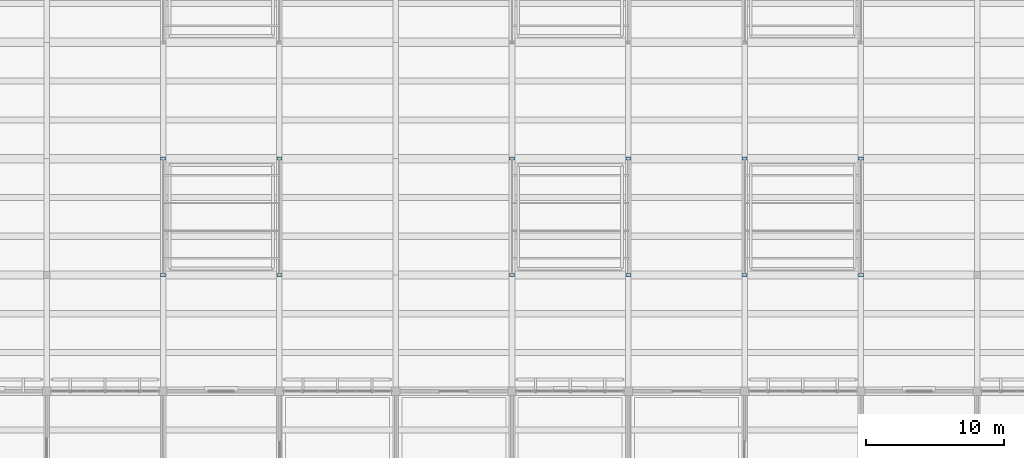
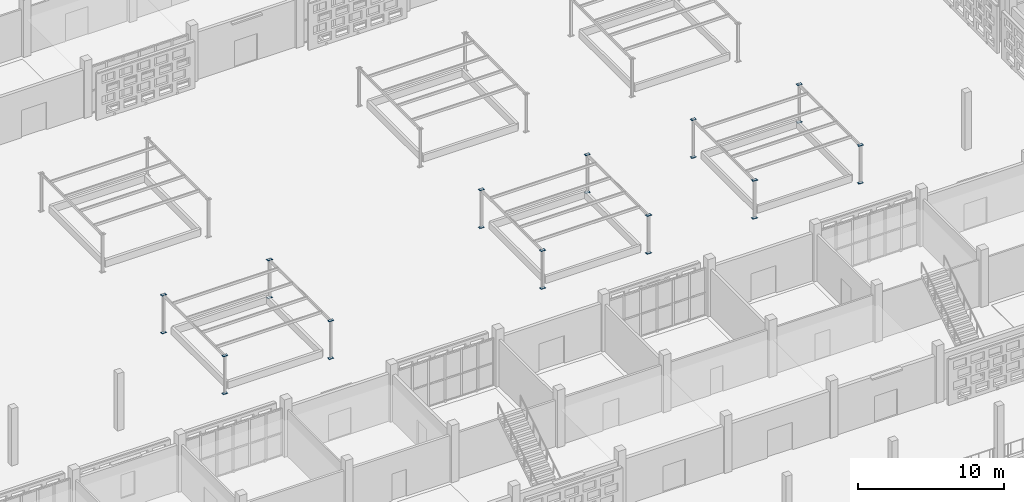
# One storey, part 53 of 129: 24 plates.
"""IFC4 building model written with IfcOpenShell, lengths in metres."""

from ifc_helpers import new_model, si_unit, direction, frame, origin, origin_2d, place, context, subcontext, project, spatial, rectangle, extrude, material, layer, layer_set, type_object, element, save


model = new_model("IFC4")

# Units and contexts
model_context = context("Model", 3, precision=1e-05, world=origin(), true_north=direction((0.0, 1.0)))
body_context = subcontext(model_context, "Body", "Model", "MODEL_VIEW")
ifc_project = project(units=[si_unit("LENGTHUNIT", "METRE"), si_unit("AREAUNIT", "SQUARE_METRE"), si_unit("VOLUMEUNIT", "CUBIC_METRE"), si_unit("PLANEANGLEUNIT", "RADIAN"), si_unit("MASSUNIT", "GRAM", prefix="KILO")], contexts=[model_context])

# Site, building, storey
site_placement = place(None, origin())
site = spatial("IfcSite", under=ifc_project, at=site_placement, CompositionType="ELEMENT")
building_placement = place(site_placement, origin())
building = spatial("IfcBuilding", under=site, at=building_placement, Name="Varnapada Polytechnic", CompositionType="ELEMENT")
storey_placement = place(building_placement, origin())
storey = spatial("IfcBuildingStorey", under=building, at=storey_placement, Name="L00", CompositionType="ELEMENT", Elevation=0.0)

# Plates
ifc_material = material(Name="Steel S355", Category="steel")
ifc_layer = layer(ifc_material, 0.01611328125)
ifc_layer_set = layer_set([ifc_layer], Name="Steel S355")
plate_type = type_object("IfcPlateType", Name="Plate BP-07", PredefinedType="SHEET", material=ifc_layer_set)
for number, where, z_axis, x_axis, name in (
    (1, (67.199951171875, 50.39990234375, 0.001953125), (0.0, 0.0, 1.0), (1.0, 0.0, 0.0), "Courtyard trellis post plate CT-BED-1.1.1.B"),
    (2, (67.199951171875, 50.39990234375, 3.171875), (0.0, 0.0, 1.0), (1.0, 0.0, 0.0), "Courtyard trellis post plate CT-BED-1.1.1.T"),
    (3, (67.199951171875, 58.800048828125, 0.001953125), (0.0, 0.0, 1.0), (1.0, 0.0, 0.0), "Courtyard trellis post plate CT-BED-1.1.2.B"),
    (4, (67.199951171875, 58.800048828125, 3.171875), (0.0, 0.0, 1.0), (1.0, 0.0, 0.0), "Courtyard trellis post plate CT-BED-1.1.2.T"),
    (5, (75.60009765625, 50.39990234375, 0.001953125), (0.0, 0.0, 1.0), (1.0, 0.0, 0.0), "Courtyard trellis post plate CT-BED-1.2.1.B"),
    (6, (75.60009765625, 50.39990234375, 3.171875), (0.0, 0.0, 1.0), (1.0, 0.0, 0.0), "Courtyard trellis post plate CT-BED-1.2.1.T"),
    (7, (75.60009765625, 58.800048828125, 0.001953125), (0.0, 0.0, 1.0), (1.0, 0.0, 0.0), "Courtyard trellis post plate CT-BED-1.2.2.B"),
    (8, (75.60009765625, 58.800048828125, 3.171875), (0.0, 0.0, 1.0), (1.0, 0.0, 0.0), "Courtyard trellis post plate CT-BED-1.2.2.T"),
    (9, (92.39990234375, 50.39990234375, 0.001953125), (0.0, 0.0, 1.0), (1.0, 0.0, 0.0), "Courtyard trellis post plate CT-BED-2.1.1.B"),
    (10, (92.39990234375, 50.39990234375, 3.171875), (0.0, 0.0, 1.0), (1.0, 0.0, 0.0), "Courtyard trellis post plate CT-BED-2.1.1.T"),
    (11, (92.39990234375, 58.800048828125, 0.001953125), (0.0, 0.0, 1.0), (1.0, 0.0, 0.0), "Courtyard trellis post plate CT-BED-2.1.2.B"),
    (12, (92.39990234375, 58.800048828125, 3.171875), (0.0, 0.0, 1.0), (1.0, 0.0, 0.0), "Courtyard trellis post plate CT-BED-2.1.2.T"),
    (13, (100.800048828125, 50.39990234375, 0.001953125), (0.0, 0.0, 1.0), (1.0, 0.0, 0.0), "Courtyard trellis post plate CT-BED-2.2.1.B"),
    (14, (100.800048828125, 50.39990234375, 3.171875), (0.0, 0.0, 1.0), (1.0, 0.0, 0.0), "Courtyard trellis post plate CT-BED-2.2.1.T"),
    (15, (100.800048828125, 58.800048828125, 0.001953125), (0.0, 0.0, 1.0), (1.0, 0.0, 0.0), "Courtyard trellis post plate CT-BED-2.2.2.B"),
    (16, (100.800048828125, 58.800048828125, 3.171875), (0.0, 0.0, 1.0), (1.0, 0.0, 0.0), "Courtyard trellis post plate CT-BED-2.2.2.T"),
    (17, (109.199951171875, 50.39990234375, 0.001953125), (0.0, 0.0, 1.0), (1.0, 0.0, 0.0), "Courtyard trellis post plate CT-BED-3.1.1.B"),
    (18, (109.199951171875, 50.39990234375, 3.171875), (0.0, 0.0, 1.0), (1.0, 0.0, 0.0), "Courtyard trellis post plate CT-BED-3.1.1.T"),
    (19, (109.199951171875, 58.800048828125, 0.001953125), (0.0, 0.0, 1.0), (1.0, 0.0, 0.0), "Courtyard trellis post plate CT-BED-3.1.2.B"),
    (20, (109.199951171875, 58.800048828125, 3.171875), (0.0, 0.0, 1.0), (1.0, 0.0, 0.0), "Courtyard trellis post plate CT-BED-3.1.2.T"),
    (21, (117.60009765625, 50.39990234375, 0.001953125), (0.0, 0.0, 1.0), (1.0, 0.0, 0.0), "Courtyard trellis post plate CT-BED-3.2.1.B"),
    (22, (117.60009765625, 50.39990234375, 3.171875), (0.0, 0.0, 1.0), (1.0, 0.0, 0.0), "Courtyard trellis post plate CT-BED-3.2.1.T"),
    (23, (117.60009765625, 58.800048828125, 0.001953125), (0.0, 0.0, 1.0), (1.0, 0.0, 0.0), "Courtyard trellis post plate CT-BED-3.2.2.B"),
    (24, (117.60009765625, 58.800048828125, 3.171875), (0.0, 0.0, 1.0), (1.0, 0.0, 0.0), "Courtyard trellis post plate CT-BED-3.2.2.T"),
):
    element("IfcPlate", number, at=place(storey_placement, frame(where, z_axis=z_axis, x_axis=x_axis)), inside=storey, type_object=plate_type, Name=name, PredefinedType="SHEET", context=body_context, shape_type="SweptSolid", body=[
        extrude(rectangle(XDim=0.360107421875, YDim=0.219970703125, at=origin_2d()), origin(), (0.0, 0.0, 1.0), 0.01611328125),
    ])

save(model, "model.ifc")
